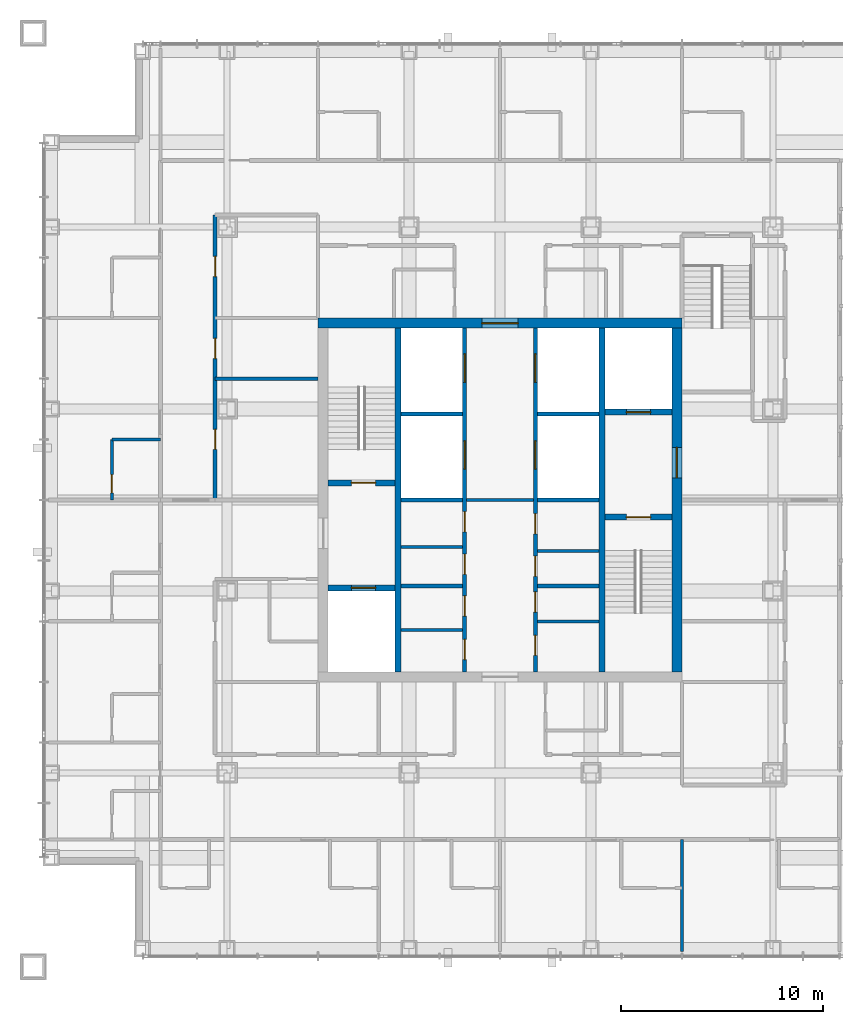
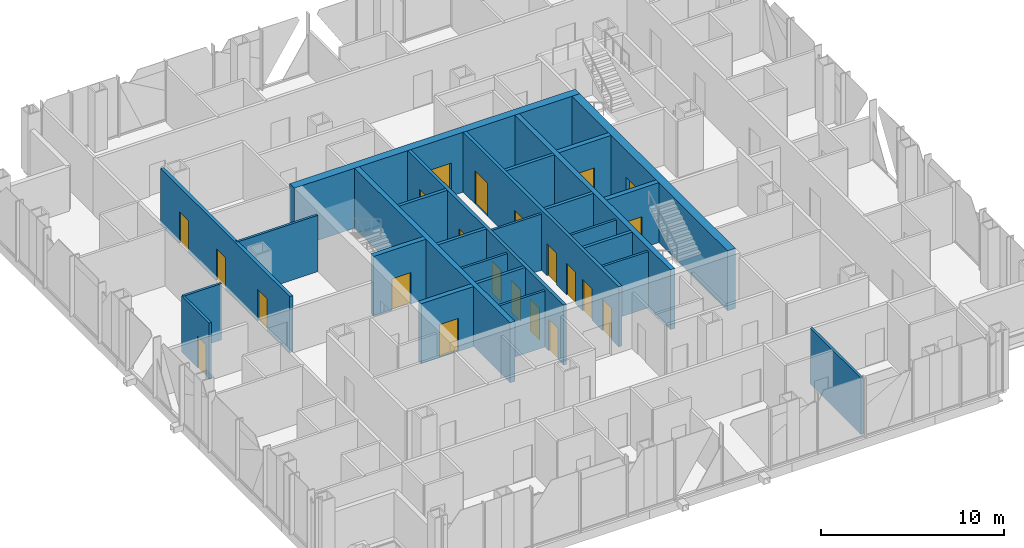
# One storey, part 9 of 25: 26 walls, 22 doors, 22 openings.
"""IFC4 building model written with IfcOpenShell, lengths in metres."""

import ifcopenshell
import ifcopenshell.guid

model = None  # the IFC model being written
_history = None  # IfcOwnerHistory: only IFC2X3 demands one
_inside = {}  # id of a spatial element -> (the spatial element, [elements in it])
_under = {}  # id of a project, library or spatial element -> (it, [spatial elements below it])
_declared = {}  # id of a project -> (the project, [libraries it declares])
_typed = {}  # id of a type object -> (the type object, [elements of that type])
_made_of = {}  # id of a material, layer set ... -> (it, [elements and type objects made of it])


def new_model(schema):
    """Start an empty IFC model of exactly this schema.

    Asked for "IFC4X3", IfcOpenShell would pick the latest addendum, in which some entities
    have other attributes; the version numbers below select the first issue.
    IFC2X3 requires an IfcOwnerHistory on every rooted entity: one is made here for all.
    """
    global model, _history
    if schema == "IFC4X3":
        model = ifcopenshell.file(schema_version=(4, 3, 0, 0))
    else:
        model = ifcopenshell.file(schema=schema)
    _inside.clear()
    _under.clear()
    _declared.clear()
    _typed.clear()
    _made_of.clear()
    _history = None
    if model.schema == "IFC2X3":
        org = make("IfcOrganization", Name="unknown")
        user = make(
            "IfcPersonAndOrganization",
            ThePerson=make("IfcPerson", FamilyName="unknown"),
            TheOrganization=org,
        )
        app = make(
            "IfcApplication",
            ApplicationDeveloper=org,
            Version="unknown",
            ApplicationFullName="unknown",
            ApplicationIdentifier="unknown",
        )
        _history = make(
            "IfcOwnerHistory",
            OwningUser=user,
            OwningApplication=app,
            ChangeAction="ADDED",
            CreationDate=0,
        )
    return model


def make(cls, **values):
    """One entity of the class cls with the attributes given. An attribute that is None is left unset."""
    return model.create_entity(
        cls, **{name: value for name, value in values.items() if value is not None}
    )


def rooted(cls, **values):
    """An entity with a GlobalId (a new one), such as an element, a storey or a relation."""
    return make(cls, GlobalId=ifcopenshell.guid.new(), OwnerHistory=_history, **values)


def si_unit(unit_type, name, prefix=None):
    """IfcSIUnit, for example si_unit("LENGTHUNIT", "METRE", prefix="MILLI")."""
    return make("IfcSIUnit", UnitType=unit_type, Prefix=prefix, Name=name)


def assignment(units):
    """IfcUnitAssignment: the units of a project."""
    return None if units is None else make("IfcUnitAssignment", Units=units)


def point(xyz):
    """IfcCartesianPoint."""
    return None if xyz is None else make("IfcCartesianPoint", Coordinates=xyz)


def direction(xyz):
    """IfcDirection."""
    return None if xyz is None else make("IfcDirection", DirectionRatios=xyz)


def frame(location, z_axis=None, x_axis=None):
    """IfcAxis2Placement3D, a coordinate frame: its origin and axes. An axis left out is left unset."""
    return make(
        "IfcAxis2Placement3D",
        Location=point(location),
        Axis=direction(z_axis),
        RefDirection=direction(x_axis),
    )


def frame_2d(location, x_axis=None):
    """IfcAxis2Placement2D, a coordinate frame in the plane: its origin and x axis."""
    return make(
        "IfcAxis2Placement2D", Location=point(location), RefDirection=direction(x_axis)
    )


def origin():
    """The frame at (0, 0, 0) with its axes left unset."""
    return frame((0.0, 0.0, 0.0))


def place(relative_to, where):
    """IfcLocalPlacement: puts the frame where relative to a parent placement (None: the world)."""
    return make(
        "IfcLocalPlacement", PlacementRelTo=relative_to, RelativePlacement=where
    )


def context(
    kind, dimensions, precision=None, world=None, true_north=None, identifier=None
):
    """IfcGeometricRepresentationContext, for example the 3D "Model" context."""
    return make(
        "IfcGeometricRepresentationContext",
        ContextIdentifier=identifier,
        ContextType=kind,
        CoordinateSpaceDimension=dimensions,
        Precision=precision,
        WorldCoordinateSystem=world,
        TrueNorth=true_north,
    )


def subcontext(parent, identifier, kind, view, scale=None):
    """IfcGeometricRepresentationSubContext, for example "Body" below "Model"."""
    return make(
        "IfcGeometricRepresentationSubContext",
        ContextIdentifier=identifier,
        ContextType=kind,
        ParentContext=parent,
        TargetScale=scale,
        TargetView=view,
    )


def project(units=None, contexts=None):
    """IfcProject with its units and contexts."""
    return rooted(
        "IfcProject",
        Name="project",
        RepresentationContexts=contexts,
        UnitsInContext=assignment(units),
    )


def spatial(cls, under=None, at=None, **own):
    """A site, building, storey or space (cls), placed at a placement, below another one or the project."""
    s = rooted(cls, ObjectPlacement=at, **own)
    if under is not None:
        _under.setdefault(under.id(), (under, []))[1].append(s)
    return s


def profile(cls, at=None, kind="AREA", **sizes):
    """A parametric profile (cls). Its sizes go by their IFC names, for example OverallWidth=200.0."""
    return make(cls, ProfileType=kind, Position=at, **sizes)


def rectangle(**sizes):
    """IfcRectangleProfileDef."""
    return profile("IfcRectangleProfileDef", **sizes)


def extrude(swept, where, along, depth):
    """IfcExtrudedAreaSolid: the profile swept, set in the frame where, extruded along a direction by depth."""
    return make(
        "IfcExtrudedAreaSolid",
        SweptArea=swept,
        Position=where,
        ExtrudedDirection=direction(along),
        Depth=depth,
    )


def shape(context_of_items, identifier, shape_type, items):
    """IfcShapeRepresentation: the items that make up one representation, for example the "Body"."""
    return make(
        "IfcShapeRepresentation",
        ContextOfItems=context_of_items,
        RepresentationIdentifier=identifier,
        RepresentationType=shape_type,
        Items=items,
    )


def material(Name=None, Category=None):
    """IfcMaterial."""
    return make("IfcMaterial", Name=Name, Category=Category)


def layer(
    of_material, thickness, ventilated=None, Name=None, Category=None, Priority=None
):
    """IfcMaterialLayer: one layer of a wall or slab, of a material (None: an air gap)."""
    return make(
        "IfcMaterialLayer",
        Material=of_material,
        LayerThickness=thickness,
        IsVentilated=ventilated,
        Name=Name,
        Category=Category,
        Priority=Priority,
    )


def layer_set(layers, Name=None):
    """IfcMaterialLayerSet."""
    return make("IfcMaterialLayerSet", MaterialLayers=layers, LayerSetName=Name)


def made_of(thing, what):
    """Note that an element or type object is made of a material, layer set ...; save() writes the relation."""
    if what is not None:
        _made_of.setdefault(what.id(), (what, []))[1].append(thing)
    return thing


def type_object(cls, material=None, **own):
    """A type object (cls), such as IfcWallType, which elements share."""
    return made_of(rooted(cls, **own), material)


def element(
    cls,
    number,
    at=None,
    inside=None,
    cuts=None,
    type_object=None,
    material=None,
    context=None,
    identifier="Body",
    shape_type=None,
    held_by="IfcProductDefinitionShape",
    body=None,
    shapes=None,
    **own,
):
    """One element of the class cls, such as IfcWall. Its Tag is "e" and its number.

    at: its placement. inside: the storey or other place that contains it. cuts: it is an
    opening in that element (IfcRelVoidsElement). A single representation is given by context,
    identifier, shape_type and body (its items); several are given by shapes. held_by: the class
    of the entity that holds the representations. save() writes the other relations.
    """
    e = rooted(cls, Tag="e%d" % number, ObjectPlacement=at, **own)
    if body is not None:
        shapes = [shape(context, identifier, shape_type, body)]
    if shapes is not None:
        e.Representation = make(held_by, Representations=shapes)
    if inside is not None:
        _inside.setdefault(inside.id(), (inside, []))[1].append(e)
    if cuts is not None:
        rooted(
            "IfcRelVoidsElement", RelatingBuildingElement=cuts, RelatedOpeningElement=e
        )
    if type_object is not None:
        _typed.setdefault(type_object.id(), (type_object, []))[1].append(e)
    return made_of(e, material)


def fill(opening, filler):
    """IfcRelFillsElement: the door or window that sits in an opening."""
    return rooted(
        "IfcRelFillsElement",
        RelatingOpeningElement=opening,
        RelatedBuildingElement=filler,
    )


def aggregate(whole, parts):
    """IfcRelAggregates: a whole, such as a stair, and the parts it consists of."""
    return rooted("IfcRelAggregates", RelatingObject=whole, RelatedObjects=parts)


def save(model, path):
    """Write the relations noted so far, then the file.

    IfcRelAggregates (storeys below a building ...), IfcRelContainedInSpatialStructure (elements
    in a storey), IfcRelDefinesByType, IfcRelAssociatesMaterial and IfcRelDeclares: one each for
    every whole, place, type object, material and project.
    """
    for whole, parts in _under.values():
        aggregate(whole, parts)
    for where, things in _inside.values():
        rooted(
            "IfcRelContainedInSpatialStructure",
            RelatedElements=things,
            RelatingStructure=where,
        )
    for kind, things in _typed.values():
        rooted("IfcRelDefinesByType", RelatedObjects=things, RelatingType=kind)
    for what, things in _made_of.values():
        rooted("IfcRelAssociatesMaterial", RelatedObjects=things, RelatingMaterial=what)
    for by, libraries in _declared.values():
        rooted("IfcRelDeclares", RelatingContext=by, RelatedDefinitions=libraries)
    model.write(path)


model = new_model("IFC4")

# Units and contexts
model_context = context("Model", 3, precision=1e-05, world=origin(), true_north=direction((0.0, 1.0)))
body_context = subcontext(model_context, "Body", "Model", "MODEL_VIEW")
ifc_project = project(units=[si_unit("LENGTHUNIT", "METRE"), si_unit("AREAUNIT", "SQUARE_METRE"), si_unit("VOLUMEUNIT", "CUBIC_METRE"), si_unit("PLANEANGLEUNIT", "RADIAN"), si_unit("MASSUNIT", "GRAM", prefix="KILO")], contexts=[model_context])

# Site, building, storey
site_placement = place(None, origin())
site = spatial("IfcSite", under=ifc_project, at=site_placement, CompositionType="ELEMENT")
building_placement = place(site_placement, origin())
building = spatial("IfcBuilding", under=site, at=building_placement, Name="Malebo Sky Hospital", CompositionType="ELEMENT")
storey_placement = place(building_placement, frame((0.0, 0.0, 241.0)))
storey = spatial("IfcBuildingStorey", under=building, at=storey_placement, Name="L58", CompositionType="ELEMENT", Elevation=241.0)

# Wall, openings, doors
ifc_material_1 = material(Name="Concrete C80/95", Category="concrete")
ifc_layer_1 = layer(ifc_material_1, 0.199951171875)
ifc_layer_set_1 = layer_set([ifc_layer_1], Name="CORE INNER WALL 200")
wall_type_1 = type_object("IfcWallType", Name="CORE INNER WALL 200", PredefinedType="SHEAR", material=ifc_layer_set_1)
wall_1_placement = place(storey_placement, frame((58.25, 53.5, 0.0), z_axis=(0.0, 0.0, 1.0), x_axis=(0.0, 1.0, 0.0)))
wall_1 = element("IfcWall", 1, at=wall_1_placement, inside=storey, type_object=wall_type_1, Name="Core wall LW L58", PredefinedType="SHEAR", context=body_context, shape_type="SweptSolid", body=[
    extrude(rectangle(XDim=17.0, YDim=0.199951171875, at=frame_2d((8.5, 0.0))), origin(), (0.0, 0.0, 1.0), 4.0),
])
opening_1_placement = place(wall_1_placement, frame((0.60009765625, 0.0, 0.0)))
opening_1 = element("IfcOpeningElement", 2, at=opening_1_placement, cuts=wall_1, Name="Opening D17", PredefinedType="OPENING", context=body_context, shape_type="SweptSolid", body=[
    extrude(rectangle(XDim=1.0, YDim=2.10009765625, at=frame_2d((0.5, 1.050048828125))), frame((0.0, 0.10986328125, 0.0), z_axis=(0.0, -1.0, 0.0), x_axis=(1.0, 0.0, 0.0)), (0.0, 0.0, 1.0), 0.219970703125),
])
opening_2_placement = place(wall_1_placement, frame((2.75, 0.0, 0.0)))
opening_2 = element("IfcOpeningElement", 3, at=opening_2_placement, cuts=wall_1, Name="Opening D17", PredefinedType="OPENING", context=body_context, shape_type="SweptSolid", body=[
    extrude(rectangle(XDim=1.0, YDim=2.10009765625, at=frame_2d((0.5, 1.050048828125))), frame((0.0, 0.10986328125, 0.0), z_axis=(0.0, -1.0, 0.0), x_axis=(1.0, 0.0, 0.0)), (0.0, 0.0, 1.0), 0.219970703125),
])
opening_3_placement = place(wall_1_placement, frame((4.823974609375, 0.0, 0.0)))
opening_3 = element("IfcOpeningElement", 4, at=opening_3_placement, cuts=wall_1, Name="Opening D17", PredefinedType="OPENING", context=body_context, shape_type="SweptSolid", body=[
    extrude(rectangle(XDim=1.0, YDim=2.10009765625, at=frame_2d((0.5, 1.050048828125))), frame((0.0, 0.10986328125, 0.0), z_axis=(0.0, -1.0, 0.0), x_axis=(1.0, 0.0, 0.0)), (0.0, 0.0, 1.0), 0.219970703125),
])
opening_4_placement = place(wall_1_placement, frame((6.924072265625, 0.0, 0.0)))
opening_4 = element("IfcOpeningElement", 5, at=opening_4_placement, cuts=wall_1, Name="Opening D17", PredefinedType="OPENING", context=body_context, shape_type="SweptSolid", body=[
    extrude(rectangle(XDim=1.0, YDim=2.10009765625, at=frame_2d((0.5, 1.050048828125))), frame((0.0, 0.10986328125, 0.0), z_axis=(0.0, -1.0, 0.0), x_axis=(1.0, 0.0, 0.0)), (0.0, 0.0, 1.0), 0.219970703125),
])
opening_5_placement = place(wall_1_placement, frame((10.02490234375, 0.0, 0.0)))
opening_5 = element("IfcOpeningElement", 6, at=opening_5_placement, cuts=wall_1, Name="Opening LD1", PredefinedType="OPENING", context=body_context, shape_type="SweptSolid", body=[
    extrude(rectangle(XDim=1.39990234375, YDim=2.199951171875, at=frame_2d((0.699951171875, 1.10009765625))), frame((0.0, 0.10986328125, 0.0), z_axis=(0.0, -1.0, 0.0), x_axis=(1.0, 0.0, 0.0)), (0.0, 0.0, 1.0), 0.219970703125),
])
opening_6_placement = place(wall_1_placement, frame((14.324951171875, 0.0, 0.0)))
opening_6 = element("IfcOpeningElement", 7, at=opening_6_placement, cuts=wall_1, Name="Opening LD1", PredefinedType="OPENING", context=body_context, shape_type="SweptSolid", body=[
    extrude(rectangle(XDim=1.39990234375, YDim=2.199951171875, at=frame_2d((0.699951171875, 1.10009765625))), frame((0.0, 0.10986328125, 0.0), z_axis=(0.0, -1.0, 0.0), x_axis=(1.0, 0.0, 0.0)), (0.0, 0.0, 1.0), 0.219970703125),
])
ifc_material_2 = material(Name="Hardwood-faced door leaf in steel frame", Category="steel")
door_type_1 = type_object("IfcDoorType", Name="FIRE DOOR 1000", OperationType="SINGLE_SWING_LEFT", PredefinedType="DOOR", material=ifc_material_2)
door_1_placement = place(opening_1_placement, origin())
door_1 = element("IfcDoor", 8, at=door_1_placement, inside=storey, type_object=door_type_1, Name="Equipment store door", OperationType="SINGLE_SWING_RIGHT", OverallHeight=2.10009765625, OverallWidth=1.0, PredefinedType="DOOR", context=body_context, shape_type="SweptSolid", body=[
    extrude(rectangle(XDim=1.0, YDim=2.10009765625, at=frame_2d((0.5, 1.050048828125))), frame((0.0, 0.02490234375, 0.0), z_axis=(0.0, -1.0, 0.0), x_axis=(1.0, 0.0, 0.0)), (0.0, 0.0, 1.0), 0.050048828125),
])
fill(opening_1, door_1)
door_2_placement = place(opening_2_placement, origin())
door_2 = element("IfcDoor", 9, at=door_2_placement, inside=storey, type_object=door_type_1, Name="Linen store door", OperationType="SINGLE_SWING_RIGHT", OverallHeight=2.10009765625, OverallWidth=1.0, PredefinedType="DOOR", context=body_context, shape_type="SweptSolid", body=[
    extrude(rectangle(XDim=1.0, YDim=2.10009765625, at=frame_2d((0.5, 1.050048828125))), frame((0.0, 0.02490234375, 0.0), z_axis=(0.0, -1.0, 0.0), x_axis=(1.0, 0.0, 0.0)), (0.0, 0.0, 1.0), 0.050048828125),
])
fill(opening_2, door_2)
door_3_placement = place(opening_3_placement, origin())
door_3 = element("IfcDoor", 10, at=door_3_placement, inside=storey, type_object=door_type_1, Name="Supplies store door", OperationType="SINGLE_SWING_RIGHT", OverallHeight=2.10009765625, OverallWidth=1.0, PredefinedType="DOOR", context=body_context, shape_type="SweptSolid", body=[
    extrude(rectangle(XDim=1.0, YDim=2.10009765625, at=frame_2d((0.5, 1.050048828125))), frame((0.0, 0.02490234375, 0.0), z_axis=(0.0, -1.0, 0.0), x_axis=(1.0, 0.0, 0.0)), (0.0, 0.0, 1.0), 0.050048828125),
])
fill(opening_3, door_3)
door_4_placement = place(opening_4_placement, origin())
door_4 = element("IfcDoor", 11, at=door_4_placement, inside=storey, type_object=door_type_1, Name="Mattress store door", OperationType="SINGLE_SWING_RIGHT", OverallHeight=2.10009765625, OverallWidth=1.0, PredefinedType="DOOR", context=body_context, shape_type="SweptSolid", body=[
    extrude(rectangle(XDim=1.0, YDim=2.10009765625, at=frame_2d((0.5, 1.050048828125))), frame((0.0, 0.02490234375, 0.0), z_axis=(0.0, -1.0, 0.0), x_axis=(1.0, 0.0, 0.0)), (0.0, 0.0, 1.0), 0.050048828125),
])
fill(opening_4, door_4)
ifc_material_3 = material(Name="Stainless steel sliding landing door", Category="steel")
door_type_2 = type_object("IfcDoorType", Name="LIFT LANDING DOOR 1400", OperationType="SLIDING_TO_LEFT", PredefinedType="DOOR", material=ifc_material_3)
door_5_placement = place(opening_5_placement, origin())
door_5 = element("IfcDoor", 12, at=door_5_placement, inside=storey, type_object=door_type_2, Name="Lift W3 landing door", OperationType="SLIDING_TO_LEFT", OverallHeight=2.199951171875, OverallWidth=1.39990234375, PredefinedType="DOOR", context=body_context, shape_type="SweptSolid", body=[
    extrude(rectangle(XDim=1.39990234375, YDim=2.199951171875, at=frame_2d((0.699951171875, 1.10009765625))), frame((0.0, 0.02490234375, 0.0), z_axis=(0.0, -1.0, 0.0), x_axis=(1.0, 0.0, 0.0)), (0.0, 0.0, 1.0), 0.050048828125),
])
fill(opening_5, door_5)
door_6_placement = place(opening_6_placement, origin())
door_6 = element("IfcDoor", 13, at=door_6_placement, inside=storey, type_object=door_type_2, Name="Lift W4 landing door", OperationType="SLIDING_TO_LEFT", OverallHeight=2.199951171875, OverallWidth=1.39990234375, PredefinedType="DOOR", context=body_context, shape_type="SweptSolid", body=[
    extrude(rectangle(XDim=1.39990234375, YDim=2.199951171875, at=frame_2d((0.699951171875, 1.10009765625))), frame((0.0, 0.02490234375, 0.0), z_axis=(0.0, -1.0, 0.0), x_axis=(1.0, 0.0, 0.0)), (0.0, 0.0, 1.0), 0.050048828125),
])
fill(opening_6, door_6)

wall_2_placement = place(storey_placement, frame((61.75, 53.5, 0.0), z_axis=(0.0, 0.0, 1.0), x_axis=(0.0, 1.0, 0.0)))
wall_2 = element("IfcWall", 14, at=wall_2_placement, inside=storey, type_object=wall_type_1, Name="Core wall LE L58", PredefinedType="SHEAR", context=body_context, shape_type="SweptSolid", body=[
    extrude(rectangle(XDim=17.0, YDim=0.199951171875, at=frame_2d((8.5, 0.0))), origin(), (0.0, 0.0, 1.0), 4.0),
])
opening_7_placement = place(wall_2_placement, frame((0.8076171875, 0.0, 0.0)))
opening_7 = element("IfcOpeningElement", 15, at=opening_7_placement, cuts=wall_2, Name="Opening D17", PredefinedType="OPENING", context=body_context, shape_type="SweptSolid", body=[
    extrude(rectangle(XDim=1.0, YDim=2.10009765625, at=frame_2d((0.5, 1.050048828125))), frame((0.0, 0.10986328125, 0.0), z_axis=(0.0, -1.0, 0.0), x_axis=(1.0, 0.0, 0.0)), (0.0, 0.0, 1.0), 0.219970703125),
])
opening_8_placement = place(wall_2_placement, frame((2.95751953125, 0.0, 0.0)))
opening_8 = element("IfcOpeningElement", 16, at=opening_8_placement, cuts=wall_2, Name="Opening D17", PredefinedType="OPENING", context=body_context, shape_type="SweptSolid", body=[
    extrude(rectangle(XDim=1.0, YDim=2.10009765625, at=frame_2d((0.5, 1.050048828125))), frame((0.0, 0.10986328125, 0.0), z_axis=(0.0, -1.0, 0.0), x_axis=(1.0, 0.0, 0.0)), (0.0, 0.0, 1.0), 0.219970703125),
])
opening_9_placement = place(wall_2_placement, frame((4.722412109375, 0.0, 0.0)))
opening_9 = element("IfcOpeningElement", 17, at=opening_9_placement, cuts=wall_2, Name="Opening D17", PredefinedType="OPENING", context=body_context, shape_type="SweptSolid", body=[
    extrude(rectangle(XDim=1.0, YDim=2.10009765625, at=frame_2d((0.5, 1.050048828125))), frame((0.0, 0.10986328125, 0.0), z_axis=(0.0, -1.0, 0.0), x_axis=(1.0, 0.0, 0.0)), (0.0, 0.0, 1.0), 0.219970703125),
])
opening_10_placement = place(wall_2_placement, frame((6.822509765625, 0.0, 0.0)))
opening_10 = element("IfcOpeningElement", 18, at=opening_10_placement, cuts=wall_2, Name="Opening D17", PredefinedType="OPENING", context=body_context, shape_type="SweptSolid", body=[
    extrude(rectangle(XDim=1.0, YDim=2.10009765625, at=frame_2d((0.5, 1.050048828125))), frame((0.0, 0.10986328125, 0.0), z_axis=(0.0, -1.0, 0.0), x_axis=(1.0, 0.0, 0.0)), (0.0, 0.0, 1.0), 0.219970703125),
])
opening_11_placement = place(wall_2_placement, frame((10.02490234375, 0.0, 0.0)))
opening_11 = element("IfcOpeningElement", 19, at=opening_11_placement, cuts=wall_2, Name="Opening LD1", PredefinedType="OPENING", context=body_context, shape_type="SweptSolid", body=[
    extrude(rectangle(XDim=1.39990234375, YDim=2.199951171875, at=frame_2d((0.699951171875, 1.10009765625))), frame((0.0, 0.10986328125, 0.0), z_axis=(0.0, -1.0, 0.0), x_axis=(1.0, 0.0, 0.0)), (0.0, 0.0, 1.0), 0.219970703125),
])
opening_12_placement = place(wall_2_placement, frame((14.324951171875, 0.0, 0.0)))
opening_12 = element("IfcOpeningElement", 20, at=opening_12_placement, cuts=wall_2, Name="Opening LD1", PredefinedType="OPENING", context=body_context, shape_type="SweptSolid", body=[
    extrude(rectangle(XDim=1.39990234375, YDim=2.199951171875, at=frame_2d((0.699951171875, 1.10009765625))), frame((0.0, 0.10986328125, 0.0), z_axis=(0.0, -1.0, 0.0), x_axis=(1.0, 0.0, 0.0)), (0.0, 0.0, 1.0), 0.219970703125),
])
door_7_placement = place(opening_7_placement, origin())
door_7 = element("IfcDoor", 21, at=door_7_placement, inside=storey, type_object=door_type_1, Name="Cleaning equipment store door", OperationType="SINGLE_SWING_RIGHT", OverallHeight=2.10009765625, OverallWidth=1.0, PredefinedType="DOOR", context=body_context, shape_type="SweptSolid", body=[
    extrude(rectangle(XDim=1.0, YDim=2.10009765625, at=frame_2d((0.5, 1.050048828125))), frame((0.0, 0.02490234375, 0.0), z_axis=(0.0, -1.0, 0.0), x_axis=(1.0, 0.0, 0.0)), (0.0, 0.0, 1.0), 0.050048828125),
])
fill(opening_7, door_7)
door_8_placement = place(opening_8_placement, origin())
door_8 = element("IfcDoor", 22, at=door_8_placement, inside=storey, type_object=door_type_1, Name="Archive store door", OperationType="SINGLE_SWING_RIGHT", OverallHeight=2.10009765625, OverallWidth=1.0, PredefinedType="DOOR", context=body_context, shape_type="SweptSolid", body=[
    extrude(rectangle(XDim=1.0, YDim=2.10009765625, at=frame_2d((0.5, 1.050048828125))), frame((0.0, 0.02490234375, 0.0), z_axis=(0.0, -1.0, 0.0), x_axis=(1.0, 0.0, 0.0)), (0.0, 0.0, 1.0), 0.050048828125),
])
fill(opening_8, door_8)
door_9_placement = place(opening_9_placement, origin())
door_9 = element("IfcDoor", 23, at=door_9_placement, inside=storey, type_object=door_type_1, Name="General store door", OperationType="SINGLE_SWING_RIGHT", OverallHeight=2.10009765625, OverallWidth=1.0, PredefinedType="DOOR", context=body_context, shape_type="SweptSolid", body=[
    extrude(rectangle(XDim=1.0, YDim=2.10009765625, at=frame_2d((0.5, 1.050048828125))), frame((0.0, 0.02490234375, 0.0), z_axis=(0.0, -1.0, 0.0), x_axis=(1.0, 0.0, 0.0)), (0.0, 0.0, 1.0), 0.050048828125),
])
fill(opening_9, door_9)
door_10_placement = place(opening_10_placement, origin())
door_10 = element("IfcDoor", 24, at=door_10_placement, inside=storey, type_object=door_type_1, Name="Records store door", OperationType="SINGLE_SWING_RIGHT", OverallHeight=2.10009765625, OverallWidth=1.0, PredefinedType="DOOR", context=body_context, shape_type="SweptSolid", body=[
    extrude(rectangle(XDim=1.0, YDim=2.10009765625, at=frame_2d((0.5, 1.050048828125))), frame((0.0, 0.02490234375, 0.0), z_axis=(0.0, -1.0, 0.0), x_axis=(1.0, 0.0, 0.0)), (0.0, 0.0, 1.0), 0.050048828125),
])
fill(opening_10, door_10)
door_11_placement = place(opening_11_placement, origin())
door_11 = element("IfcDoor", 25, at=door_11_placement, inside=storey, type_object=door_type_2, Name="Lift E3 landing door", OperationType="SLIDING_TO_LEFT", OverallHeight=2.199951171875, OverallWidth=1.39990234375, PredefinedType="DOOR", context=body_context, shape_type="SweptSolid", body=[
    extrude(rectangle(XDim=1.39990234375, YDim=2.199951171875, at=frame_2d((0.699951171875, 1.10009765625))), frame((0.0, 0.02490234375, 0.0), z_axis=(0.0, -1.0, 0.0), x_axis=(1.0, 0.0, 0.0)), (0.0, 0.0, 1.0), 0.050048828125),
])
fill(opening_11, door_11)
door_12_placement = place(opening_12_placement, origin())
door_12 = element("IfcDoor", 26, at=door_12_placement, inside=storey, type_object=door_type_2, Name="Lift E4 landing door", OperationType="SLIDING_TO_LEFT", OverallHeight=2.199951171875, OverallWidth=1.39990234375, PredefinedType="DOOR", context=body_context, shape_type="SweptSolid", body=[
    extrude(rectangle(XDim=1.39990234375, YDim=2.199951171875, at=frame_2d((0.699951171875, 1.10009765625))), frame((0.0, 0.02490234375, 0.0), z_axis=(0.0, -1.0, 0.0), x_axis=(1.0, 0.0, 0.0)), (0.0, 0.0, 1.0), 0.050048828125),
])
fill(opening_12, door_12)

# Walls
for number, where, z_axis, x_axis, name in (
    (27, (55.10009765625, 57.75, 0.0), (0.0, 0.0, 1.0), (1.0, 0.0, 0.0), "Core wall SW0 L58"),
    (28, (61.85009765625, 57.75, 0.0), (0.0, 0.0, 1.0), (1.0, 0.0, 0.0), "Core wall SE0 L58"),
    (29, (55.10009765625, 62.0, 0.0), (0.0, 0.0, 1.0), (1.0, 0.0, 0.0), "Core wall SW1 L58"),
    (30, (61.85009765625, 62.0, 0.0), (0.0, 0.0, 1.0), (1.0, 0.0, 0.0), "Core wall SE1 L58"),
    (31, (55.10009765625, 66.25, 0.0), (0.0, 0.0, 1.0), (1.0, 0.0, 0.0), "Core wall SW2 L58"),
    (32, (61.85009765625, 66.25, 0.0), (0.0, 0.0, 1.0), (1.0, 0.0, 0.0), "Core wall SE2 L58"),
):
    element("IfcWall", number, at=place(storey_placement, frame(where, z_axis=z_axis, x_axis=x_axis)), inside=storey, type_object=wall_type_1, Name=name, PredefinedType="SHEAR", context=body_context, shape_type="SweptSolid", body=[
        extrude(rectangle(XDim=3.0498046875, YDim=0.199951171875, at=frame_2d((1.52490234375, 0.0))), origin(), (0.0, 0.0, 1.0), 4.0),
    ])
ifc_layer_2 = layer(ifc_material_1, 0.300048828125)
ifc_layer_set_2 = layer_set([ifc_layer_2], Name="CORE INNER WALL 300")
wall_type_2 = type_object("IfcWallType", Name="CORE INNER WALL 300", PredefinedType="SHEAR", material=ifc_layer_set_2)
for number, where, z_axis, x_axis, name in (
    (33, (54.949951171875, 53.5, 0.0), (0.0, 0.0, 1.0), (0.0, 1.0, 0.0), "Core wall XW L58"),
    (34, (65.050048828125, 53.5, 0.0), (0.0, 0.0, 1.0), (0.0, 1.0, 0.0), "Core wall XE L58"),
):
    element("IfcWall", number, at=place(storey_placement, frame(where, z_axis=z_axis, x_axis=x_axis)), inside=storey, type_object=wall_type_2, Name=name, PredefinedType="SHEAR", context=body_context, shape_type="SweptSolid", body=[
        extrude(rectangle(XDim=17.0, YDim=0.300048828125, at=frame_2d((8.5, 0.0))), origin(), (0.0, 0.0, 1.0), 4.0),
    ])

# Wall, opening, door
wall_3_placement = place(storey_placement, frame((51.5, 62.85009765625, 0.0), z_axis=(0.0, 0.0, 1.0), x_axis=(1.0, 0.0, 0.0)))
wall_3 = element("IfcWall", 35, at=wall_3_placement, inside=storey, type_object=wall_type_2, Name="Core wall W1 L58", PredefinedType="SHEAR", context=body_context, shape_type="SweptSolid", body=[
    extrude(rectangle(XDim=3.300048828125, YDim=0.300048828125, at=frame_2d((1.64990234375, 0.0))), origin(), (0.0, 0.0, 1.0), 4.0),
])
opening_13_placement = place(wall_3_placement, frame((1.14990234375, 0.0, 0.0)))
opening_13 = element("IfcOpeningElement", 36, at=opening_13_placement, cuts=wall_3, Name="Opening D08", PredefinedType="OPENING", context=body_context, shape_type="SweptSolid", body=[
    extrude(rectangle(XDim=1.199951171875, YDim=2.10009765625, at=frame_2d((0.60009765625, 1.050048828125))), frame((0.0, 0.159912109375, 0.0), z_axis=(0.0, -1.0, 0.0), x_axis=(1.0, 0.0, 0.0)), (0.0, 0.0, 1.0), 0.320068359375),
])
door_type_3 = type_object("IfcDoorType", Name="STAIR DOOR 1200", OperationType="SINGLE_SWING_LEFT", PredefinedType="DOOR", material=ifc_material_2)
door_13_placement = place(opening_13_placement, origin())
door_13 = element("IfcDoor", 37, at=door_13_placement, inside=storey, type_object=door_type_3, Name="Stair S1 door", OperationType="SINGLE_SWING_RIGHT", OverallHeight=2.10009765625, OverallWidth=1.199951171875, PredefinedType="DOOR", context=body_context, shape_type="SweptSolid", body=[
    extrude(rectangle(XDim=1.199951171875, YDim=2.10009765625, at=frame_2d((0.60009765625, 1.050048828125))), frame((0.0, 0.02490234375, 0.0), z_axis=(0.0, -1.0, 0.0), x_axis=(1.0, 0.0, 0.0)), (0.0, 0.0, 1.0), 0.050048828125),
])
fill(opening_13, door_13)

wall_4_placement = place(storey_placement, frame((51.5, 57.64990234375, 0.0), z_axis=(0.0, 0.0, 1.0), x_axis=(1.0, 0.0, 0.0)))
wall_4 = element("IfcWall", 38, at=wall_4_placement, inside=storey, type_object=wall_type_2, Name="Core wall W2 L58", PredefinedType="SHEAR", context=body_context, shape_type="SweptSolid", body=[
    extrude(rectangle(XDim=3.300048828125, YDim=0.300048828125, at=frame_2d((1.64990234375, 0.0))), origin(), (0.0, 0.0, 1.0), 4.0),
])
opening_14_placement = place(wall_4_placement, frame((1.14990234375, 0.0, 0.0)))
opening_14 = element("IfcOpeningElement", 39, at=opening_14_placement, cuts=wall_4, Name="Opening LD2", PredefinedType="OPENING", context=body_context, shape_type="SweptSolid", body=[
    extrude(rectangle(XDim=1.199951171875, YDim=2.199951171875, at=frame_2d((0.60009765625, 1.10009765625))), frame((0.0, 0.159912109375, 0.0), z_axis=(0.0, -1.0, 0.0), x_axis=(1.0, 0.0, 0.0)), (0.0, 0.0, 1.0), 0.320068359375),
])
door_type_4 = type_object("IfcDoorType", Name="FIRE-FIGHTING LIFT LANDING DOOR 1200", OperationType="SLIDING_TO_LEFT", PredefinedType="DOOR", material=ifc_material_3)
door_14_placement = place(opening_14_placement, origin())
door_14 = element("IfcDoor", 40, at=door_14_placement, inside=storey, type_object=door_type_4, Name="Lift FL1 landing door", OperationType="SLIDING_TO_LEFT", OverallHeight=2.199951171875, OverallWidth=1.199951171875, PredefinedType="DOOR", context=body_context, shape_type="SweptSolid", body=[
    extrude(rectangle(XDim=1.199951171875, YDim=2.199951171875, at=frame_2d((0.60009765625, 1.10009765625))), frame((0.0, 0.02490234375, 0.0), z_axis=(0.0, -1.0, 0.0), x_axis=(1.0, 0.0, 0.0)), (0.0, 0.0, 1.0), 0.050048828125),
])
fill(opening_14, door_14)

wall_5_placement = place(storey_placement, frame((65.199951171875, 61.14990234375, 0.0), z_axis=(0.0, 0.0, 1.0), x_axis=(1.0, 0.0, 0.0)))
wall_5 = element("IfcWall", 41, at=wall_5_placement, inside=storey, type_object=wall_type_2, Name="Core wall E1 L58", PredefinedType="SHEAR", context=body_context, shape_type="SweptSolid", body=[
    extrude(rectangle(XDim=3.300048828125, YDim=0.300048828125, at=frame_2d((1.64990234375, 0.0))), origin(), (0.0, 0.0, 1.0), 4.0),
])
opening_15_placement = place(wall_5_placement, frame((1.050048828125, 0.0, 0.0)))
opening_15 = element("IfcOpeningElement", 42, at=opening_15_placement, cuts=wall_5, Name="Opening D08", PredefinedType="OPENING", context=body_context, shape_type="SweptSolid", body=[
    extrude(rectangle(XDim=1.199951171875, YDim=2.10009765625, at=frame_2d((0.60009765625, 1.050048828125))), frame((0.0, 0.159912109375, 0.0), z_axis=(0.0, -1.0, 0.0), x_axis=(1.0, 0.0, 0.0)), (0.0, 0.0, 1.0), 0.320068359375),
])
door_15_placement = place(opening_15_placement, origin())
door_15 = element("IfcDoor", 43, at=door_15_placement, inside=storey, type_object=door_type_3, Name="Stair S2 door", OperationType="SINGLE_SWING_LEFT", OverallHeight=2.10009765625, OverallWidth=1.199951171875, PredefinedType="DOOR", context=body_context, shape_type="SweptSolid", body=[
    extrude(rectangle(XDim=1.199951171875, YDim=2.10009765625, at=frame_2d((0.60009765625, 1.050048828125))), frame((0.0, 0.02490234375, 0.0), z_axis=(0.0, -1.0, 0.0), x_axis=(1.0, 0.0, 0.0)), (0.0, 0.0, 1.0), 0.050048828125),
])
fill(opening_15, door_15)

wall_6_placement = place(storey_placement, frame((65.199951171875, 66.35009765625, 0.0), z_axis=(0.0, 0.0, 1.0), x_axis=(1.0, 0.0, 0.0)))
wall_6 = element("IfcWall", 44, at=wall_6_placement, inside=storey, type_object=wall_type_2, Name="Core wall E2 L58", PredefinedType="SHEAR", context=body_context, shape_type="SweptSolid", body=[
    extrude(rectangle(XDim=3.300048828125, YDim=0.300048828125, at=frame_2d((1.64990234375, 0.0))), origin(), (0.0, 0.0, 1.0), 4.0),
])
opening_16_placement = place(wall_6_placement, frame((1.050048828125, 0.0, 0.0)))
opening_16 = element("IfcOpeningElement", 45, at=opening_16_placement, cuts=wall_6, Name="Opening LD2", PredefinedType="OPENING", context=body_context, shape_type="SweptSolid", body=[
    extrude(rectangle(XDim=1.199951171875, YDim=2.199951171875, at=frame_2d((0.60009765625, 1.10009765625))), frame((0.0, 0.159912109375, 0.0), z_axis=(0.0, -1.0, 0.0), x_axis=(1.0, 0.0, 0.0)), (0.0, 0.0, 1.0), 0.320068359375),
])
door_16_placement = place(opening_16_placement, origin())
door_16 = element("IfcDoor", 46, at=door_16_placement, inside=storey, type_object=door_type_4, Name="Lift FL2 landing door", OperationType="SLIDING_TO_LEFT", OverallHeight=2.199951171875, OverallWidth=1.199951171875, PredefinedType="DOOR", context=body_context, shape_type="SweptSolid", body=[
    extrude(rectangle(XDim=1.199951171875, YDim=2.199951171875, at=frame_2d((0.60009765625, 1.10009765625))), frame((0.0, 0.02490234375, 0.0), z_axis=(0.0, -1.0, 0.0), x_axis=(1.0, 0.0, 0.0)), (0.0, 0.0, 1.0), 0.050048828125),
])
fill(opening_16, door_16)

ifc_layer_3 = layer(ifc_material_1, 0.5)
ifc_layer_set_3 = layer_set([ifc_layer_3], Name="CORE WALL 500")
wall_type_3 = type_object("IfcWallType", Name="CORE WALL 500", PredefinedType="SHEAR", material=ifc_layer_set_3)
wall_7_placement = place(storey_placement, frame((51.0, 70.75, 0.0), z_axis=(0.0, 0.0, 1.0), x_axis=(1.0, 0.0, 0.0)))
wall_7 = element("IfcWall", 47, at=wall_7_placement, inside=storey, type_object=wall_type_3, Name="Core wall N L58", PredefinedType="SHEAR", context=body_context, shape_type="SweptSolid", body=[
    extrude(rectangle(XDim=18.0, YDim=0.5, at=frame_2d((9.0, 0.0))), origin(), (0.0, 0.0, 1.0), 4.0),
])
opening_17_placement = place(wall_7_placement, frame((8.10009765625, 0.0, 0.0)))
opening_17 = element("IfcOpeningElement", 48, at=opening_17_placement, cuts=wall_7, Name="Opening D06", PredefinedType="OPENING", context=body_context, shape_type="SweptSolid", body=[
    extrude(rectangle(XDim=1.800048828125, YDim=2.199951171875, at=frame_2d((0.89990234375, 1.10009765625))), frame((0.0, 0.260009765625, 0.0), z_axis=(0.0, -1.0, 0.0), x_axis=(1.0, 0.0, 0.0)), (0.0, 0.0, 1.0), 0.52001953125),
])
door_type_5 = type_object("IfcDoorType", Name="LOBBY DOOR PAIR 1800", OperationType="DOUBLE_DOOR_SINGLE_SWING", PredefinedType="DOOR", material=ifc_material_2)
door_17_placement = place(opening_17_placement, origin())
door_17 = element("IfcDoor", 49, at=door_17_placement, inside=storey, type_object=door_type_5, Name="Lift lobby door north", OperationType="DOUBLE_DOOR_SINGLE_SWING", OverallHeight=2.199951171875, OverallWidth=1.800048828125, PredefinedType="DOOR", context=body_context, shape_type="SweptSolid", body=[
    extrude(rectangle(XDim=1.800048828125, YDim=2.199951171875, at=frame_2d((0.89990234375, 1.10009765625))), frame((0.0, 0.02490234375, 0.0), z_axis=(0.0, -1.0, 0.0), x_axis=(1.0, 0.0, 0.0)), (0.0, 0.0, 1.0), 0.050048828125),
])
fill(opening_17, door_17)

wall_8_placement = place(storey_placement, frame((68.75, 53.5, 0.0), z_axis=(0.0, 0.0, 1.0), x_axis=(0.0, 1.0, 0.0)))
wall_8 = element("IfcWall", 50, at=wall_8_placement, inside=storey, type_object=wall_type_3, Name="Core wall E L58", PredefinedType="SHEAR", context=body_context, shape_type="SweptSolid", body=[
    extrude(rectangle(XDim=17.0, YDim=0.5, at=frame_2d((8.5, 0.0))), origin(), (0.0, 0.0, 1.0), 4.0),
])
opening_18_placement = place(wall_8_placement, frame((9.60009765625, 0.0, 0.0)))
opening_18 = element("IfcOpeningElement", 51, at=opening_18_placement, cuts=wall_8, Name="Opening D07", PredefinedType="OPENING", context=body_context, shape_type="SweptSolid", body=[
    extrude(rectangle(XDim=1.5, YDim=2.199951171875, at=frame_2d((0.75, 1.10009765625))), frame((0.0, 0.260009765625, 0.0), z_axis=(0.0, -1.0, 0.0), x_axis=(1.0, 0.0, 0.0)), (0.0, 0.0, 1.0), 0.52001953125),
])
door_type_6 = type_object("IfcDoorType", Name="FIRE-FIGHTING LOBBY DOOR PAIR 1500", OperationType="DOUBLE_DOOR_SINGLE_SWING", PredefinedType="DOOR", material=ifc_material_2)
door_18_placement = place(opening_18_placement, origin())
door_18 = element("IfcDoor", 52, at=door_18_placement, inside=storey, type_object=door_type_6, Name="Fire-fighting lobby door east", OperationType="DOUBLE_DOOR_SINGLE_SWING", OverallHeight=2.199951171875, OverallWidth=1.5, PredefinedType="DOOR", context=body_context, shape_type="SweptSolid", body=[
    extrude(rectangle(XDim=1.5, YDim=2.199951171875, at=frame_2d((0.75, 1.10009765625))), frame((0.0, 0.02490234375, 0.0), z_axis=(0.0, -1.0, 0.0), x_axis=(1.0, 0.0, 0.0)), (0.0, 0.0, 1.0), 0.050048828125),
])
fill(opening_18, door_18)

# Wall, openings, doors
ifc_material_4 = material(Name="Gypsum board on steel studs", Category="steel")
ifc_layer_4 = layer(ifc_material_4, 0.199951171875)
ifc_layer_set_4 = layer_set([ifc_layer_4], Name="CORRIDOR WALL 200")
wall_type_4 = type_object("IfcWallType", Name="CORRIDOR WALL 200", PredefinedType="PARTITIONING", material=ifc_layer_set_4)
wall_9_placement = place(storey_placement, frame((45.89990234375, 62.0, 0.0), z_axis=(0.0, 0.0, 1.0), x_axis=(0.0, 1.0, 0.0)))
wall_9 = element("IfcWall", 53, at=wall_9_placement, inside=storey, type_object=wall_type_4, Name="Corridor Wall 200 WCI2", PredefinedType="PARTITIONING", context=body_context, shape_type="SweptSolid", body=[
    extrude(rectangle(XDim=14.10009765625, YDim=0.199951171875, at=frame_2d((7.050048828125, 0.0))), origin(), (0.0, 0.0, 1.0), 3.75),
])
opening_19_placement = place(wall_9_placement, frame((2.5, 0.0, 0.0)))
opening_19 = element("IfcOpeningElement", 54, at=opening_19_placement, cuts=wall_9, Name="Opening D03", PredefinedType="OPENING", context=body_context, shape_type="SweptSolid", body=[
    extrude(rectangle(XDim=1.0, YDim=2.10009765625, at=frame_2d((0.5, 1.050048828125))), frame((0.0, 0.10986328125, 0.0), z_axis=(0.0, -1.0, 0.0), x_axis=(1.0, 0.0, 0.0)), (0.0, 0.0, 1.0), 0.219970703125),
])
opening_20_placement = place(wall_9_placement, frame((7.0, 0.0, 0.0)))
opening_20 = element("IfcOpeningElement", 55, at=opening_20_placement, cuts=wall_9, Name="Opening D03", PredefinedType="OPENING", context=body_context, shape_type="SweptSolid", body=[
    extrude(rectangle(XDim=1.0, YDim=2.10009765625, at=frame_2d((0.5, 1.050048828125))), frame((0.0, 0.10986328125, 0.0), z_axis=(0.0, -1.0, 0.0), x_axis=(1.0, 0.0, 0.0)), (0.0, 0.0, 1.0), 0.219970703125),
])
opening_21_placement = place(wall_9_placement, frame((11.050048828125, 0.0, 0.0)))
opening_21 = element("IfcOpeningElement", 56, at=opening_21_placement, cuts=wall_9, Name="Opening D03", PredefinedType="OPENING", context=body_context, shape_type="SweptSolid", body=[
    extrude(rectangle(XDim=1.0, YDim=2.10009765625, at=frame_2d((0.5, 1.050048828125))), frame((0.0, 0.10986328125, 0.0), z_axis=(0.0, -1.0, 0.0), x_axis=(1.0, 0.0, 0.0)), (0.0, 0.0, 1.0), 0.219970703125),
])
door_type_7 = type_object("IfcDoorType", Name="ROOM DOOR 1000", OperationType="SINGLE_SWING_LEFT", PredefinedType="DOOR", material=ifc_material_2)
door_19_placement = place(opening_19_placement, origin())
door_19 = element("IfcDoor", 57, at=door_19_placement, inside=storey, type_object=door_type_7, Name="Nurse station door", OperationType="SINGLE_SWING_LEFT", OverallHeight=2.10009765625, OverallWidth=1.0, PredefinedType="DOOR", context=body_context, shape_type="SweptSolid", body=[
    extrude(rectangle(XDim=1.0, YDim=2.10009765625, at=frame_2d((0.5, 1.050048828125))), frame((0.0, 0.02490234375, 0.0), z_axis=(0.0, -1.0, 0.0), x_axis=(1.0, 0.0, 0.0)), (0.0, 0.0, 1.0), 0.050048828125),
])
fill(opening_19, door_19)
door_20_placement = place(opening_20_placement, origin())
door_20 = element("IfcDoor", 58, at=door_20_placement, inside=storey, type_object=door_type_7, Name="Clean utility room door", OperationType="SINGLE_SWING_LEFT", OverallHeight=2.10009765625, OverallWidth=1.0, PredefinedType="DOOR", context=body_context, shape_type="SweptSolid", body=[
    extrude(rectangle(XDim=1.0, YDim=2.10009765625, at=frame_2d((0.5, 1.050048828125))), frame((0.0, 0.02490234375, 0.0), z_axis=(0.0, -1.0, 0.0), x_axis=(1.0, 0.0, 0.0)), (0.0, 0.0, 1.0), 0.050048828125),
])
fill(opening_20, door_20)
door_21_placement = place(opening_21_placement, origin())
door_21 = element("IfcDoor", 59, at=door_21_placement, inside=storey, type_object=door_type_7, Name="Expressing room door", OperationType="SINGLE_SWING_RIGHT", OverallHeight=2.10009765625, OverallWidth=1.0, PredefinedType="DOOR", context=body_context, shape_type="SweptSolid", body=[
    extrude(rectangle(XDim=1.0, YDim=2.10009765625, at=frame_2d((0.5, 1.050048828125))), frame((0.0, 0.02490234375, 0.0), z_axis=(0.0, -1.0, 0.0), x_axis=(1.0, 0.0, 0.0)), (0.0, 0.0, 1.0), 0.050048828125),
])
fill(opening_21, door_21)

# Wall, opening, door
ifc_layer_5 = layer(ifc_material_4, 0.14990234375)
ifc_layer_set_5 = layer_set([ifc_layer_5], Name="PARTITION 150")
wall_type_5 = type_object("IfcWallType", Name="PARTITION 150", PredefinedType="PARTITIONING", material=ifc_layer_set_5)
wall_10_placement = place(storey_placement, frame((40.800048828125, 62.0, 0.0), z_axis=(0.0, 0.0, 1.0), x_axis=(0.0, 1.0, 0.0)))
wall_10 = element("IfcWall", 60, at=wall_10_placement, inside=storey, type_object=wall_type_5, Name="Partition 150 WE3F", PredefinedType="PARTITIONING", context=body_context, shape_type="SweptSolid", body=[
    extrude(rectangle(XDim=3.0, YDim=0.14990234375, at=frame_2d((1.5, 0.0))), origin(), (0.0, 0.0, 1.0), 3.75),
])
opening_22_placement = place(wall_10_placement, frame((0.35009765625, 0.0, 0.0)))
opening_22 = element("IfcOpeningElement", 61, at=opening_22_placement, cuts=wall_10, Name="Opening D02", PredefinedType="OPENING", context=body_context, shape_type="SweptSolid", body=[
    extrude(rectangle(XDim=0.89990234375, YDim=2.10009765625, at=frame_2d((0.449951171875, 1.050048828125))), frame((0.0, 0.0849609375, 0.0), z_axis=(0.0, -1.0, 0.0), x_axis=(1.0, 0.0, 0.0)), (0.0, 0.0, 1.0), 0.169921875),
])
door_type_8 = type_object("IfcDoorType", Name="EN-SUITE DOOR 900", OperationType="SINGLE_SWING_LEFT", PredefinedType="DOOR", material=ifc_material_2)
door_22_placement = place(opening_22_placement, origin())
door_22 = element("IfcDoor", 62, at=door_22_placement, inside=storey, type_object=door_type_8, Name="En-suite door", OperationType="SINGLE_SWING_LEFT", OverallHeight=2.10009765625, OverallWidth=0.89990234375, PredefinedType="DOOR", context=body_context, shape_type="SweptSolid", body=[
    extrude(rectangle(XDim=0.89990234375, YDim=2.10009765625, at=frame_2d((0.449951171875, 1.050048828125))), frame((0.0, 0.02490234375, 0.0), z_axis=(0.0, -1.0, 0.0), x_axis=(1.0, 0.0, 0.0)), (0.0, 0.0, 1.0), 0.050048828125),
])
fill(opening_22, door_22)

# Walls
wall_11_placement = place(storey_placement, frame((43.199951171875, 65.0, 0.0), z_axis=(0.0, 0.0, 1.0), x_axis=(-1.0, 0.0, 0.0)))
element("IfcWall", 63, at=wall_11_placement, inside=storey, type_object=wall_type_5, Name="Partition 150 WE3S", PredefinedType="PARTITIONING", context=body_context, shape_type="SweptSolid", body=[
    extrude(rectangle(XDim=2.39990234375, YDim=0.14990234375, at=frame_2d((1.199951171875, 0.0))), origin(), (0.0, 0.0, 1.0), 3.75),
])
wall_12_placement = place(storey_placement, frame((51.0, 68.0, 0.0), z_axis=(0.0, 0.0, 1.0), x_axis=(-1.0, 0.0, 0.0)))
element("IfcWall", 64, at=wall_12_placement, inside=storey, type_object=wall_type_5, Name="Partition 150 WSP+6.0", PredefinedType="PARTITIONING", context=body_context, shape_type="SweptSolid", body=[
    extrude(rectangle(XDim=5.10009765625, YDim=0.14990234375, at=frame_2d((2.550048828125, 0.0))), origin(), (0.0, 0.0, 1.0), 3.75),
])
wall_13_placement = place(storey_placement, frame((69.0, 45.199951171875, 0.0), z_axis=(0.0, 0.0, 1.0), x_axis=(0.0, -1.0, 0.0)))
element("IfcWall", 65, at=wall_13_placement, inside=storey, type_object=wall_type_5, Name="Partition 150 SP-9.0", PredefinedType="PARTITIONING", context=body_context, shape_type="SweptSolid", body=[
    extrude(rectangle(XDim=5.550048828125, YDim=0.14990234375, at=frame_2d((2.77490234375, 0.0))), origin(), (0.0, 0.0, 1.0), 3.75),
])
for number, where, z_axis, x_axis, name in (
    (66, (55.10009765625, 55.574951171875, 0.0), (0.0, 0.0, 1.0), (1.0, 0.0, 0.0), "Partition 150 SHW1"),
    (67, (61.85009765625, 55.989990234375, 0.0), (0.0, 0.0, 1.0), (1.0, 0.0, 0.0), "Partition 150 SHE1"),
    (68, (55.10009765625, 59.673095703125, 0.0), (0.0, 0.0, 1.0), (1.0, 0.0, 0.0), "Partition 150 SHW2"),
    (69, (61.85009765625, 59.469970703125, 0.0), (0.0, 0.0, 1.0), (1.0, 0.0, 0.0), "Partition 150 SHE2"),
):
    element("IfcWall", number, at=place(storey_placement, frame(where, z_axis=z_axis, x_axis=x_axis)), inside=storey, type_object=wall_type_5, Name=name, PredefinedType="PARTITIONING", context=body_context, shape_type="SweptSolid", body=[
        extrude(rectangle(XDim=3.0498046875, YDim=0.14990234375, at=frame_2d((1.52490234375, 0.0))), origin(), (0.0, 0.0, 1.0), 3.75),
    ])
wall_14_placement = place(storey_placement, frame((58.35009765625, 62.0, 0.0), z_axis=(0.0, 0.0, 1.0), x_axis=(1.0, 0.0, 0.0)))
element("IfcWall", 70, at=wall_14_placement, inside=storey, type_object=wall_type_5, Name="Partition 150 LBS", PredefinedType="PARTITIONING", context=body_context, shape_type="SweptSolid", body=[
    extrude(rectangle(XDim=3.2998046875, YDim=0.14990234375, at=frame_2d((1.64990234375, 0.0))), origin(), (0.0, 0.0, 1.0), 3.75),
])

save(model, "model.ifc")
